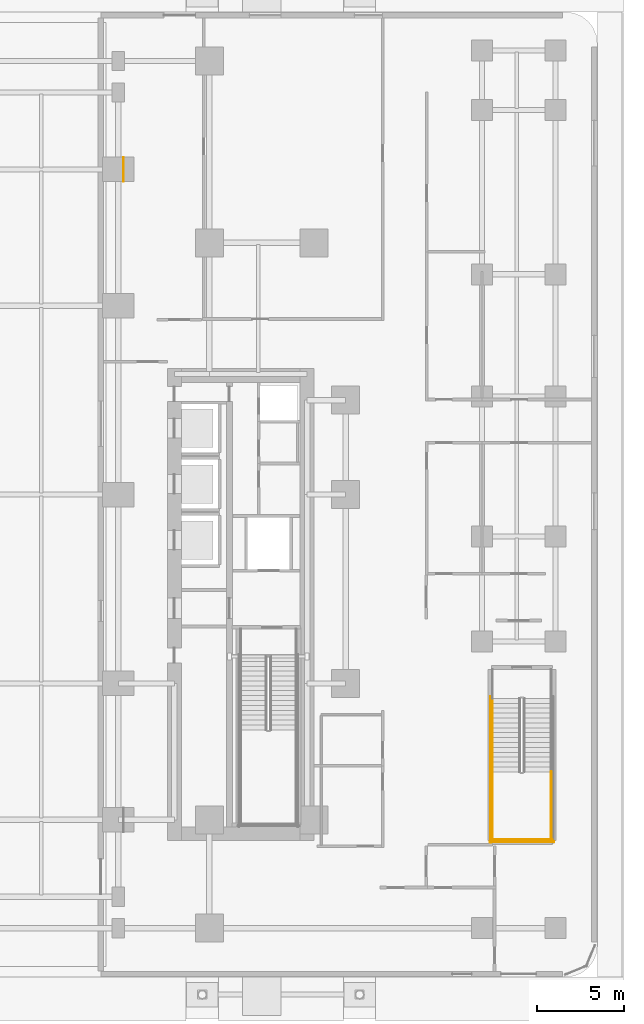
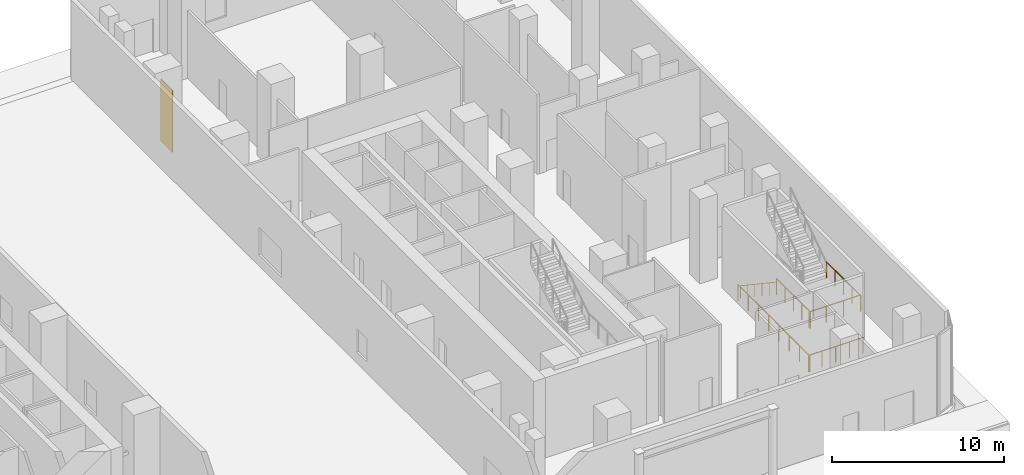
# One storey, part 20 of 22: 6 railings, 1 covering.
"""IFC4 building model written with IfcOpenShell, lengths in metres."""

from ifc_helpers import new_model, si_unit, direction, frame, origin, origin_2d, place, context, subcontext, project, spatial, rectangle, circle, extrude, material, layer, layer_set, type_object, element, save


model = new_model("IFC4")

# Units and contexts
model_context = context("Model", 3, precision=1e-05, world=origin(), true_north=direction((0.0, 1.0)))
body_context = subcontext(model_context, "Body", "Model", "MODEL_VIEW")
ifc_project = project(units=[si_unit("LENGTHUNIT", "METRE"), si_unit("AREAUNIT", "SQUARE_METRE"), si_unit("VOLUMEUNIT", "CUBIC_METRE"), si_unit("PLANEANGLEUNIT", "RADIAN"), si_unit("MASSUNIT", "GRAM", prefix="KILO")], contexts=[model_context])

# Site, building, storey
site_placement = place(None, origin())
site = spatial("IfcSite", under=ifc_project, at=site_placement, CompositionType="ELEMENT")
building_placement = place(site_placement, origin())
building = spatial("IfcBuilding", under=site, at=building_placement, Name="Khairoan Windgate Tower", CompositionType="ELEMENT")
storey_placement = place(building_placement, origin())
storey = spatial("IfcBuildingStorey", under=building, at=storey_placement, Name="L01", CompositionType="ELEMENT", Elevation=0.0)

# Covering
ifc_material_1 = material(Name="Anodised Bronze Aluminium 6063-T6", Category="aluminium")
ifc_layer = layer(ifc_material_1, 0.0400390625, Name="Anodised Bronze Aluminium 6063-T6")
ifc_layer_set = layer_set([ifc_layer], Name="Anodised Bronze Aluminium 6063-T6")
covering_type = type_object("IfcCoveringType", Name="Anodised Bronze Arch Pier Cladding", PredefinedType="CLADDING", material=ifc_layer_set)
covering_placement = place(storey_placement, frame((9.5, 18.60009765625, 0.0), z_axis=(0.0, 0.0, 1.0), x_axis=(1.0, 0.0, 0.0)))
element("IfcCovering", 1, at=covering_placement, inside=storey, type_object=covering_type, Name="L01 Arch Pier Bronze Cladding 04", PredefinedType="CLADDING", context=body_context, shape_type="SweptSolid", body=[
    extrude(rectangle(XDim=0.0400390625, YDim=1.39990234375, at=origin_2d()), origin(), (0.0, 0.0, 1.0), 4.39990234375),
])

# Railings
ifc_material_2 = material(Name="Anodised Bronze Aluminium 6063-T6", Category="aluminium")
railing_type_1 = type_object("IfcRailingType", Name="Stair Wall Handrail SHR-900", PredefinedType="HANDRAIL", material=ifc_material_2)
railing_1_placement = place(storey_placement, frame((30.60009765625, -11.659912109375, 0.1875)))
element("IfcRailing", 2, at=railing_1_placement, inside=storey, type_object=railing_type_1, Name="L01 ST3 stair handrail 1", PredefinedType="HANDRAIL", context=body_context, shape_type="SweptSolid", body=[
    extrude(circle(Radius=0.02392578125, at=origin_2d()), frame((0.0, 0.0, 0.8759765625), z_axis=(0.0, -0.830919138977, 0.55639319234), x_axis=(1.0, 0.0, 0.0)), (0.0, 0.0, 1.0), 5.054931640625),
    extrude(circle(Radius=0.02099609375, at=origin_2d()), origin(), (0.0, 0.0, 1.0), 0.851806640625),
    extrude(circle(Radius=0.02099609375, at=origin_2d()), frame((0.0, -0.840087890625, 0.5625)), (0.0, 0.0, 1.0), 0.851806640625),
    extrude(circle(Radius=0.02099609375, at=origin_2d()), frame((0.0, -1.68017578125, 1.125)), (0.0, 0.0, 1.0), 0.851806640625),
    extrude(circle(Radius=0.02099609375, at=origin_2d()), frame((0.0, -2.52001953125, 1.6875)), (0.0, 0.0, 1.0), 0.851806640625),
    extrude(circle(Radius=0.02099609375, at=origin_2d()), frame((0.0, -3.360107421875, 2.25)), (0.0, 0.0, 1.0), 0.851806640625),
    extrude(circle(Radius=0.02099609375, at=origin_2d()), frame((0.0, -4.2001953125, 2.8125)), (0.0, 0.0, 1.0), 0.851806640625),
])
ifc_material_3 = material(Name="Steel S355", Category="steel")
railing_type_2 = type_object("IfcRailingType", Name="Stairwell Safety Guardrail SGR-1150", PredefinedType="GUARDRAIL", material=ifc_material_3)
for number, where, name in (
    (3, (30.60009765625, -15.860107421875, 3.0), "L01 ST3 stair guard 3"),
    (4, (33.969970703125, -15.860107421875, 3.0), "L01 ST3 stair guard 4"),
):
    element("IfcRailing", number, at=place(storey_placement, frame(where)), inside=storey, type_object=railing_type_2, Name=name, PredefinedType="GUARDRAIL", context=body_context, shape_type="SweptSolid", body=[
        extrude(circle(Radius=0.02392578125, at=origin_2d()), frame((0.0, 0.0, 1.1259765625), z_axis=(0.0, -1.0, 0.0), x_axis=(1.0, 0.0, 0.0)), (0.0, 0.0, 1.0), 3.93994140625),
        extrude(circle(Radius=0.02099609375, at=origin_2d()), origin(), (0.0, 0.0, 1.0), 1.101806640625),
        extrude(circle(Radius=0.02099609375, at=origin_2d()), frame((0.0, -0.98486328125, 0.0)), (0.0, 0.0, 1.0), 1.101806640625),
        extrude(circle(Radius=0.02099609375, at=origin_2d()), frame((0.0, -1.969970703125, 0.0)), (0.0, 0.0, 1.0), 1.101806640625),
        extrude(circle(Radius=0.02099609375, at=origin_2d()), frame((0.0, -2.955078125, 0.0)), (0.0, 0.0, 1.0), 1.101806640625),
        extrude(circle(Radius=0.02099609375, at=origin_2d()), frame((0.0, -3.93994140625, 0.0)), (0.0, 0.0, 1.0), 1.101806640625),
    ])
railing_2_placement = place(storey_placement, frame((30.550048828125, -19.75, 3.0)))
element("IfcRailing", 5, at=railing_2_placement, inside=storey, type_object=railing_type_2, Name="L01 ST3 stair guard 5", PredefinedType="GUARDRAIL", context=body_context, shape_type="SweptSolid", body=[
    extrude(circle(Radius=0.02392578125, at=origin_2d()), frame((0.0, 0.0, 1.1259765625), z_axis=(1.0, 0.0, 0.0), x_axis=(0.0, 1.0, 0.0)), (0.0, 0.0, 1.0), 3.469970703125),
    extrude(circle(Radius=0.02099609375, at=origin_2d()), origin(), (0.0, 0.0, 1.0), 1.101806640625),
    extrude(circle(Radius=0.02099609375, at=origin_2d()), frame((1.15673828125, 0.0, 0.0)), (0.0, 0.0, 1.0), 1.101806640625),
    extrude(circle(Radius=0.02099609375, at=origin_2d()), frame((2.313232421875, 0.0, 0.0)), (0.0, 0.0, 1.0), 1.101806640625),
    extrude(circle(Radius=0.02099609375, at=origin_2d()), frame((3.469970703125, 0.0, 0.0)), (0.0, 0.0, 1.0), 1.101806640625),
])
railing_3_placement = place(storey_placement, frame((30.5, -11.56005859375, 0.0)))
element("IfcRailing", 6, at=railing_3_placement, inside=storey, type_object=railing_type_2, Name="L01 ST3 stair guard 10", PredefinedType="GUARDRAIL", context=body_context, shape_type="SweptSolid", body=[
    extrude(circle(Radius=0.02392578125, at=origin_2d()), frame((0.0, 0.0, 1.1259765625), z_axis=(0.0, -1.0, 0.0), x_axis=(1.0, 0.0, 0.0)), (0.0, 0.0, 1.0), 8.33984375),
    extrude(circle(Radius=0.02099609375, at=origin_2d()), origin(), (0.0, 0.0, 1.0), 1.101806640625),
    extrude(circle(Radius=0.02099609375, at=origin_2d()), frame((0.0, -1.19140625, 0.0)), (0.0, 0.0, 1.0), 1.101806640625),
    extrude(circle(Radius=0.02099609375, at=origin_2d()), frame((0.0, -2.3828125, 0.0)), (0.0, 0.0, 1.0), 1.101806640625),
    extrude(circle(Radius=0.02099609375, at=origin_2d()), frame((0.0, -3.57421875, 0.0)), (0.0, 0.0, 1.0), 1.101806640625),
    extrude(circle(Radius=0.02099609375, at=origin_2d()), frame((0.0, -4.765625, 0.0)), (0.0, 0.0, 1.0), 1.101806640625),
    extrude(circle(Radius=0.02099609375, at=origin_2d()), frame((0.0, -5.95703125, 0.0)), (0.0, 0.0, 1.0), 1.101806640625),
    extrude(circle(Radius=0.02099609375, at=origin_2d()), frame((0.0, -7.1484375, 0.0)), (0.0, 0.0, 1.0), 1.101806640625),
    extrude(circle(Radius=0.02099609375, at=origin_2d()), frame((0.0, -8.33984375, 0.0)), (0.0, 0.0, 1.0), 1.101806640625),
])
railing_4_placement = place(storey_placement, frame((30.449951171875, -19.85009765625, 0.0)))
element("IfcRailing", 7, at=railing_4_placement, inside=storey, type_object=railing_type_2, Name="L01 ST3 stair guard 12", PredefinedType="GUARDRAIL", context=body_context, shape_type="SweptSolid", body=[
    extrude(circle(Radius=0.02392578125, at=origin_2d()), frame((0.0, 0.0, 1.1259765625), z_axis=(1.0, 0.0, 0.0), x_axis=(0.0, 1.0, 0.0)), (0.0, 0.0, 1.0), 3.670166015625),
    extrude(circle(Radius=0.02099609375, at=origin_2d()), origin(), (0.0, 0.0, 1.0), 1.101806640625),
    extrude(circle(Radius=0.02099609375, at=origin_2d()), frame((0.91748046875, 0.0, 0.0)), (0.0, 0.0, 1.0), 1.101806640625),
    extrude(circle(Radius=0.02099609375, at=origin_2d()), frame((1.8349609375, 0.0, 0.0)), (0.0, 0.0, 1.0), 1.101806640625),
    extrude(circle(Radius=0.02099609375, at=origin_2d()), frame((2.752685546875, 0.0, 0.0)), (0.0, 0.0, 1.0), 1.101806640625),
    extrude(circle(Radius=0.02099609375, at=origin_2d()), frame((3.670166015625, 0.0, 0.0)), (0.0, 0.0, 1.0), 1.101806640625),
])

save(model, "model.ifc")
